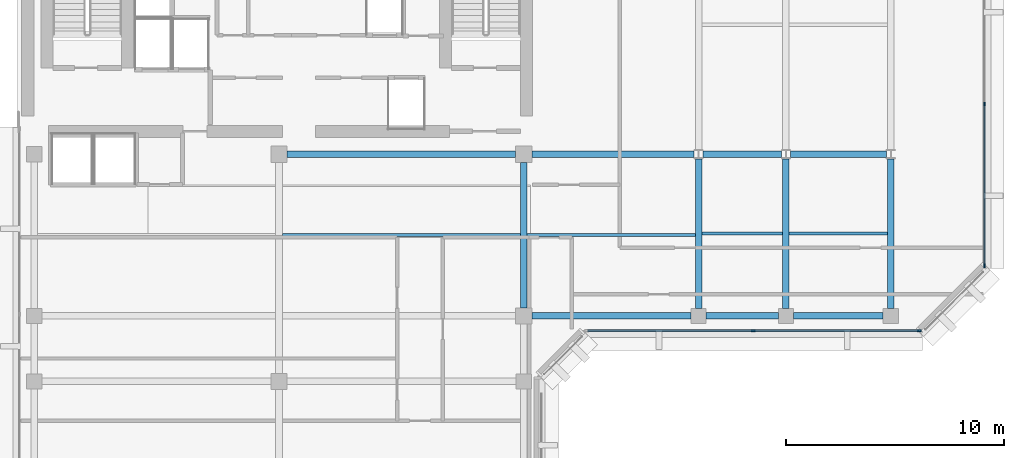
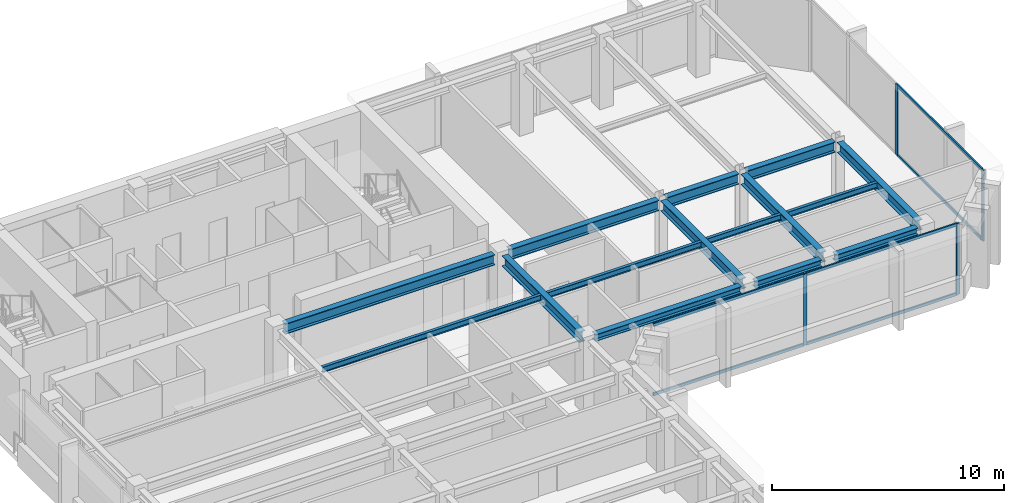
# One storey, part 3 of 12: 15 beams, 10 members, 2 elements without a shape of their own.
"""IFC4 building model written with IfcOpenShell, lengths in metres."""

from ifc_helpers import new_model, si_unit, direction, frame, origin, origin_2d, place, context, subcontext, project, spatial, rectangle, i_section, extrude, material, layer, layer_set, material_profile, profile_set, type_object, element, aggregate, save


model = new_model("IFC4")

# Units and contexts
model_context = context("Model", 3, precision=1e-05, world=origin(), true_north=direction((0.0, 1.0)))
body_context = subcontext(model_context, "Body", "Model", "MODEL_VIEW")
ifc_project = project(units=[si_unit("LENGTHUNIT", "METRE"), si_unit("AREAUNIT", "SQUARE_METRE"), si_unit("VOLUMEUNIT", "CUBIC_METRE"), si_unit("PLANEANGLEUNIT", "RADIAN"), si_unit("MASSUNIT", "GRAM", prefix="KILO")], contexts=[model_context])

# Site, building, storey
site_placement = place(None, origin())
site = spatial("IfcSite", under=ifc_project, at=site_placement, CompositionType="ELEMENT")
building_placement = place(site_placement, origin())
building = spatial("IfcBuilding", under=site, at=building_placement, Name="Kefirva Bronze Tower", CompositionType="ELEMENT")
storey_placement = place(building_placement, frame((0.0, 0.0, 327.68994140625)))
storey = spatial("IfcBuildingStorey", under=building, at=storey_placement, Name="L80", CompositionType="ELEMENT", Elevation=327.68994140625)

# Curtain wall, members
ifc_material_1 = material(Name="Bronze anodised aluminium", Category="aluminium")
ifc_layer = layer(ifc_material_1, 0.179931640625, Name="Bronze anodised aluminium")
ifc_layer_set = layer_set([ifc_layer], Name="Bronze anodised aluminium")
curtain_wall_type = type_object("IfcCurtainWallType", Name="Unitised Bronze Ribbon Curtain Wall Zone 4", PredefinedType="USERDEFINED", material=ifc_layer_set)
curtain_wall_1_placement = place(storey_placement, origin())
curtain_wall_1 = element("IfcCurtainWall", 1, at=curtain_wall_1_placement, inside=storey, type_object=curtain_wall_type, Name="L80 Curtain Wall 1", ObjectType="UNITISED CURTAIN WALL", PredefinedType="USERDEFINED")
ifc_material_profile_1 = material_profile(ifc_material_1, rectangle(XDim=0.074951171875, YDim=0.179931640625, at=origin_2d()), Name="ALU 75x180")
ifc_profile_set_1 = profile_set([ifc_material_profile_1], Name="Bronze anodised aluminium")
member_type_1 = type_object("IfcMemberType", Name="Bronze Mullion 75x180", PredefinedType="MULLION", material=ifc_profile_set_1)
member_1_placement = place(storey_placement, frame((33.699951171875, 25.1201171875, 0.0), z_axis=(0.0, 0.0, 1.0), x_axis=(0.0, 1.0, 0.0)))
member_1 = element("IfcMember", 2, at=member_1_placement, type_object=member_type_1, Name="CW-04 mullion 2", PredefinedType="MULLION", context=body_context, shape_type="SweptSolid", body=[
    extrude(rectangle(XDim=0.074951171875, YDim=0.179931640625, at=origin_2d()), origin(), (0.0, 0.0, 1.0), 3.739990234375),
])
member_2_placement = place(storey_placement, frame((41.3076171875, 25.1201171875, 0.0), z_axis=(0.0, 0.0, 1.0), x_axis=(0.0, 1.0, 0.0)))
member_2 = element("IfcMember", 3, at=member_2_placement, type_object=member_type_1, Name="CW-04 mullion 3", PredefinedType="MULLION", context=body_context, shape_type="SweptSolid", body=[
    extrude(rectangle(XDim=0.074951171875, YDim=0.179931640625, at=origin_2d()), origin(), (0.0, 0.0, 1.0), 3.739990234375),
])

curtain_wall_2_placement = place(storey_placement, origin())
curtain_wall_2 = element("IfcCurtainWall", 4, at=curtain_wall_2_placement, inside=storey, type_object=curtain_wall_type, Name="L80 Curtain Wall 2", ObjectType="UNITISED CURTAIN WALL", PredefinedType="USERDEFINED")
member_3_placement = place(storey_placement, frame((44.280029296875, 28.092529296875, 0.0), z_axis=(0.0, 0.0, 1.0), x_axis=(-1.0, 0.0, 0.0)))
member_3 = element("IfcMember", 5, at=member_3_placement, type_object=member_type_1, Name="CW-04 mullion 1", PredefinedType="MULLION", context=body_context, shape_type="SweptSolid", body=[
    extrude(rectangle(XDim=0.074951171875, YDim=0.179931640625, at=origin_2d()), origin(), (0.0, 0.0, 1.0), 3.739990234375),
])
member_4_placement = place(storey_placement, frame((44.280029296875, 35.5, 0.0), z_axis=(0.0, 0.0, 1.0), x_axis=(-1.0, 0.0, 0.0)))
member_4 = element("IfcMember", 6, at=member_4_placement, type_object=member_type_1, Name="CW-04 mullion 2", PredefinedType="MULLION", context=body_context, shape_type="SweptSolid", body=[
    extrude(rectangle(XDim=0.074951171875, YDim=0.179931640625, at=origin_2d()), origin(), (0.0, 0.0, 1.0), 3.739990234375),
])

# Member
ifc_material_profile_2 = material_profile(ifc_material_1, rectangle(XDim=0.074951171875, YDim=0.14990234375, at=origin_2d()), Name="ALU 75x150")
ifc_profile_set_2 = profile_set([ifc_material_profile_2], Name="Bronze anodised aluminium")
member_type_2 = type_object("IfcMemberType", Name="Bronze Transom 75x150", PredefinedType="USERDEFINED", material=ifc_profile_set_2)
member_5_placement = place(storey_placement, frame((26.1298828125, 25.1201171875, 0.03759765625), z_axis=(1.0, 0.0, 0.0), x_axis=(0.0, 1.0, 0.0)))
member_5 = element("IfcMember", 7, at=member_5_placement, type_object=member_type_2, Name="CW-04 transom 1.1", ObjectType="TRANSOM", PredefinedType="USERDEFINED", context=body_context, shape_type="SweptSolid", body=[
    extrude(rectangle(XDim=0.074951171875, YDim=0.14990234375, at=origin_2d()), origin(), (0.0, 0.0, 1.0), 7.53271484375),
])

member_6_placement = place(storey_placement, frame((26.1298828125, 25.1201171875, 3.70263671875), z_axis=(1.0, 0.0, 0.0), x_axis=(0.0, 1.0, 0.0)))
member_6 = element("IfcMember", 8, at=member_6_placement, type_object=member_type_2, Name="CW-04 transom 1.2", ObjectType="TRANSOM", PredefinedType="USERDEFINED", context=body_context, shape_type="SweptSolid", body=[
    extrude(rectangle(XDim=0.074951171875, YDim=0.14990234375, at=origin_2d()), origin(), (0.0, 0.0, 1.0), 7.53271484375),
])

member_7_placement = place(storey_placement, frame((33.737548828125, 25.1201171875, 0.03759765625), z_axis=(1.0, 0.0, 0.0), x_axis=(0.0, 1.0, 0.0)))
member_7 = element("IfcMember", 9, at=member_7_placement, type_object=member_type_2, Name="CW-04 transom 2.1", ObjectType="TRANSOM", PredefinedType="USERDEFINED", context=body_context, shape_type="SweptSolid", body=[
    extrude(rectangle(XDim=0.074951171875, YDim=0.14990234375, at=origin_2d()), origin(), (0.0, 0.0, 1.0), 7.532470703125),
])

member_8_placement = place(storey_placement, frame((33.737548828125, 25.1201171875, 3.70263671875), z_axis=(1.0, 0.0, 0.0), x_axis=(0.0, 1.0, 0.0)))
member_8 = element("IfcMember", 10, at=member_8_placement, type_object=member_type_2, Name="CW-04 transom 2.2", ObjectType="TRANSOM", PredefinedType="USERDEFINED", context=body_context, shape_type="SweptSolid", body=[
    extrude(rectangle(XDim=0.074951171875, YDim=0.14990234375, at=origin_2d()), origin(), (0.0, 0.0, 1.0), 7.532470703125),
])

aggregate(curtain_wall_1, [member_1, member_2, member_5, member_6, member_7, member_8])

member_9_placement = place(storey_placement, frame((44.280029296875, 28.1298828125, 0.03759765625), z_axis=(0.0, 1.0, 0.0), x_axis=(-1.0, 0.0, 0.0)))
member_9 = element("IfcMember", 11, at=member_9_placement, type_object=member_type_2, Name="CW-04 transom 1.1", ObjectType="TRANSOM", PredefinedType="USERDEFINED", context=body_context, shape_type="SweptSolid", body=[
    extrude(rectangle(XDim=0.074951171875, YDim=0.14990234375, at=origin_2d()), origin(), (0.0, 0.0, 1.0), 7.33251953125),
])

member_10_placement = place(storey_placement, frame((44.280029296875, 28.1298828125, 3.70263671875), z_axis=(0.0, 1.0, 0.0), x_axis=(-1.0, 0.0, 0.0)))
member_10 = element("IfcMember", 12, at=member_10_placement, type_object=member_type_2, Name="CW-04 transom 1.2", ObjectType="TRANSOM", PredefinedType="USERDEFINED", context=body_context, shape_type="SweptSolid", body=[
    extrude(rectangle(XDim=0.074951171875, YDim=0.14990234375, at=origin_2d()), origin(), (0.0, 0.0, 1.0), 7.33251953125),
])

aggregate(curtain_wall_2, [member_3, member_4, member_9, member_10])

# Beams
ifc_material_2 = material(Name="Steel S355", Category="steel")
ifc_material_profile_3 = material_profile(ifc_material_2, i_section(OverallWidth=0.14990234375, OverallDepth=0.300048828125, WebThickness=0.007080078125, FlangeThickness=0.0107421875, at=origin_2d()), Name="IPE 300")
ifc_profile_set_3 = profile_set([ifc_material_profile_3], Name="Steel S355")
beam_type_1 = type_object("IfcBeamType", Name="Steel Floor Joist IPE 300", PredefinedType="JOIST", material=ifc_profile_set_3)
beam_1_placement = place(storey_placement, frame((12.14990234375, 29.5, 3.590087890625), z_axis=(1.0, 0.0, 0.0), x_axis=(0.0, 1.0, 0.0)))
element("IfcBeam", 13, at=beam_1_placement, inside=storey, type_object=beam_type_1, Name="L80 JST-L80-12-295", PredefinedType="JOIST", context=body_context, shape_type="SweptSolid", body=[
    extrude(i_section(OverallWidth=0.14990234375, OverallDepth=0.300048828125, WebThickness=0.007080078125, FlangeThickness=0.0107421875, at=origin_2d()), origin(), (0.0, 0.0, 1.0), 10.900146484375),
])
beam_2_placement = place(storey_placement, frame((23.35009765625, 29.5, 3.590087890625), z_axis=(1.0, 0.0, 0.0), x_axis=(0.0, 1.0, 0.0)))
element("IfcBeam", 14, at=beam_2_placement, inside=storey, type_object=beam_type_1, Name="L80 JST-L80-23-295", PredefinedType="JOIST", context=body_context, shape_type="SweptSolid", body=[
    extrude(i_section(OverallWidth=0.14990234375, OverallDepth=0.300048828125, WebThickness=0.007080078125, FlangeThickness=0.0107421875, at=origin_2d()), origin(), (0.0, 0.0, 1.0), 7.699951171875),
])
beam_3_placement = place(storey_placement, frame((31.35009765625, 29.571044921875, 3.590087890625), z_axis=(1.0, 0.0, 0.0), x_axis=(0.0, 1.0, 0.0)))
element("IfcBeam", 15, at=beam_3_placement, inside=storey, type_object=beam_type_1, Name="L80 JST-L80-31-295", PredefinedType="JOIST", context=body_context, shape_type="SweptSolid", body=[
    extrude(i_section(OverallWidth=0.14990234375, OverallDepth=0.300048828125, WebThickness=0.007080078125, FlangeThickness=0.0107421875, at=origin_2d()), origin(), (0.0, 0.0, 1.0), 3.699951171875),
])
beam_4_placement = place(storey_placement, frame((35.35009765625, 29.571044921875, 3.590087890625), z_axis=(1.0, 0.0, 0.0), x_axis=(0.0, 1.0, 0.0)))
element("IfcBeam", 16, at=beam_4_placement, inside=storey, type_object=beam_type_1, Name="L80 JST-L80-35-295", PredefinedType="JOIST", context=body_context, shape_type="SweptSolid", body=[
    extrude(i_section(OverallWidth=0.14990234375, OverallDepth=0.300048828125, WebThickness=0.007080078125, FlangeThickness=0.0107421875, at=origin_2d()), origin(), (0.0, 0.0, 1.0), 4.5),
])
ifc_material_profile_4 = material_profile(ifc_material_2, i_section(OverallWidth=0.300048828125, OverallDepth=0.550048828125, WebThickness=0.014892578125, FlangeThickness=0.029052734375, at=origin_2d()), Name="HEB 550")
ifc_profile_set_4 = profile_set([ifc_material_profile_4], Name="Steel S355")
beam_type_2 = type_object("IfcBeamType", Name="Steel Girder HEB 550", PredefinedType="USERDEFINED", material=ifc_profile_set_4)
beam_5_placement = place(storey_placement, frame((12.3701171875, 33.199951171875, 3.465087890625), z_axis=(1.0, 0.0, 0.0), x_axis=(0.0, 1.0, 0.0)))
element("IfcBeam", 17, at=beam_5_placement, inside=storey, type_object=beam_type_2, Name="L80 BM-L80-EW-12-332", ObjectType="GIRDER", PredefinedType="USERDEFINED", context=body_context, shape_type="SweptSolid", body=[
    extrude(i_section(OverallWidth=0.300048828125, OverallDepth=0.550048828125, WebThickness=0.014892578125, FlangeThickness=0.029052734375, at=origin_2d()), origin(), (0.0, 0.0, 1.0), 10.4599609375),
])
beam_6_placement = place(storey_placement, frame((23.570068359375, 33.199951171875, 3.465087890625), z_axis=(1.0, 0.0, 0.0), x_axis=(0.0, 1.0, 0.0)))
element("IfcBeam", 18, at=beam_6_placement, inside=storey, type_object=beam_type_2, Name="L80 BM-L80-EW-23-332", ObjectType="GIRDER", PredefinedType="USERDEFINED", context=body_context, shape_type="SweptSolid", body=[
    extrude(i_section(OverallWidth=0.300048828125, OverallDepth=0.550048828125, WebThickness=0.014892578125, FlangeThickness=0.029052734375, at=origin_2d()), origin(), (0.0, 0.0, 1.0), 7.427001953125),
])
beam_7_placement = place(storey_placement, frame((31.403076171875, 33.199951171875, 3.465087890625), z_axis=(1.0, 0.0, 0.0), x_axis=(0.0, 1.0, 0.0)))
element("IfcBeam", 19, at=beam_7_placement, inside=storey, type_object=beam_type_2, Name="L80 BM-L80-EW-31-332", ObjectType="GIRDER", PredefinedType="USERDEFINED", context=body_context, shape_type="SweptSolid", body=[
    extrude(i_section(OverallWidth=0.300048828125, OverallDepth=0.550048828125, WebThickness=0.014892578125, FlangeThickness=0.029052734375, at=origin_2d()), origin(), (0.0, 0.0, 1.0), 3.593994140625),
])
beam_8_placement = place(storey_placement, frame((35.403076171875, 33.199951171875, 3.465087890625), z_axis=(1.0, 0.0, 0.0), x_axis=(0.0, 1.0, 0.0)))
element("IfcBeam", 20, at=beam_8_placement, inside=storey, type_object=beam_type_2, Name="L80 BM-L80-EW-35-332", ObjectType="GIRDER", PredefinedType="USERDEFINED", context=body_context, shape_type="SweptSolid", body=[
    extrude(i_section(OverallWidth=0.300048828125, OverallDepth=0.550048828125, WebThickness=0.014892578125, FlangeThickness=0.029052734375, at=origin_2d()), origin(), (0.0, 0.0, 1.0), 4.39404296875),
])
beam_9_placement = place(storey_placement, frame((23.199951171875, 26.169921875, 3.465087890625), z_axis=(0.0, 1.0, 0.0), x_axis=(-1.0, 0.0, 0.0)))
element("IfcBeam", 21, at=beam_9_placement, inside=storey, type_object=beam_type_2, Name="L80 BM-L80-NS-232-25", ObjectType="GIRDER", PredefinedType="USERDEFINED", context=body_context, shape_type="SweptSolid", body=[
    extrude(i_section(OverallWidth=0.300048828125, OverallDepth=0.550048828125, WebThickness=0.014892578125, FlangeThickness=0.029052734375, at=origin_2d()), origin(), (0.0, 0.0, 1.0), 6.66015625),
])
for number, where, z_axis, x_axis, name in (
    (22, (31.199951171875, 26.14990234375, 3.465087890625), (0.0, 1.0, 0.0), (-1.0, 0.0, 0.0), "L80 BM-L80-NS-312-25"),
    (23, (35.199951171875, 26.14990234375, 3.465087890625), (0.0, 1.0, 0.0), (-1.0, 0.0, 0.0), "L80 BM-L80-NS-352-25"),
    (24, (40.0, 26.14990234375, 3.465087890625), (0.0, 1.0, 0.0), (-1.0, 0.0, 0.0), "L80 BM-L80-NS-400-25"),
):
    element("IfcBeam", number, at=place(storey_placement, frame(where, z_axis=z_axis, x_axis=x_axis)), inside=storey, type_object=beam_type_2, Name=name, ObjectType="GIRDER", PredefinedType="USERDEFINED", context=body_context, shape_type="SweptSolid", body=[
        extrude(i_section(OverallWidth=0.300048828125, OverallDepth=0.550048828125, WebThickness=0.014892578125, FlangeThickness=0.029052734375, at=origin_2d()), origin(), (0.0, 0.0, 1.0), 6.842041015625),
    ])
ifc_material_profile_5 = material_profile(ifc_material_2, i_section(OverallWidth=0.300048828125, OverallDepth=0.360107421875, WebThickness=0.012451171875, FlangeThickness=0.0224609375, at=origin_2d()), Name="HEB 360")
ifc_profile_set_5 = profile_set([ifc_material_profile_5], Name="Steel S355")
beam_type_3 = type_object("IfcBeamType", Name="Steel Spandrel HEB 360 Ext", PredefinedType="SPANDREL", material=ifc_profile_set_5)
beam_10_placement = place(storey_placement, frame((23.570068359375, 25.800048828125, 3.56005859375), z_axis=(1.0, 0.0, 0.0), x_axis=(0.0, 1.0, 0.0)))
element("IfcBeam", 25, at=beam_10_placement, inside=storey, type_object=beam_type_3, Name="L80 BM-L80-EW-23-258", PredefinedType="SPANDREL", context=body_context, shape_type="SweptSolid", body=[
    extrude(i_section(OverallWidth=0.300048828125, OverallDepth=0.360107421875, WebThickness=0.012451171875, FlangeThickness=0.0224609375, at=origin_2d()), origin(), (0.0, 0.0, 1.0), 7.280029296875),
])
beam_11_placement = place(storey_placement, frame((31.550048828125, 25.800048828125, 3.56005859375), z_axis=(1.0, 0.0, 0.0), x_axis=(0.0, 1.0, 0.0)))
element("IfcBeam", 26, at=beam_11_placement, inside=storey, type_object=beam_type_3, Name="L80 BM-L80-EW-31-258", PredefinedType="SPANDREL", context=body_context, shape_type="SweptSolid", body=[
    extrude(i_section(OverallWidth=0.300048828125, OverallDepth=0.360107421875, WebThickness=0.012451171875, FlangeThickness=0.0224609375, at=origin_2d()), origin(), (0.0, 0.0, 1.0), 3.300048828125),
])
beam_12_placement = place(storey_placement, frame((35.550048828125, 25.800048828125, 3.56005859375), z_axis=(1.0, 0.0, 0.0), x_axis=(0.0, 1.0, 0.0)))
element("IfcBeam", 27, at=beam_12_placement, inside=storey, type_object=beam_type_3, Name="L80 BM-L80-EW-35-258", PredefinedType="SPANDREL", context=body_context, shape_type="SweptSolid", body=[
    extrude(i_section(OverallWidth=0.300048828125, OverallDepth=0.360107421875, WebThickness=0.012451171875, FlangeThickness=0.0224609375, at=origin_2d()), origin(), (0.0, 0.0, 1.0), 4.099853515625),
])

save(model, "model.ifc")
